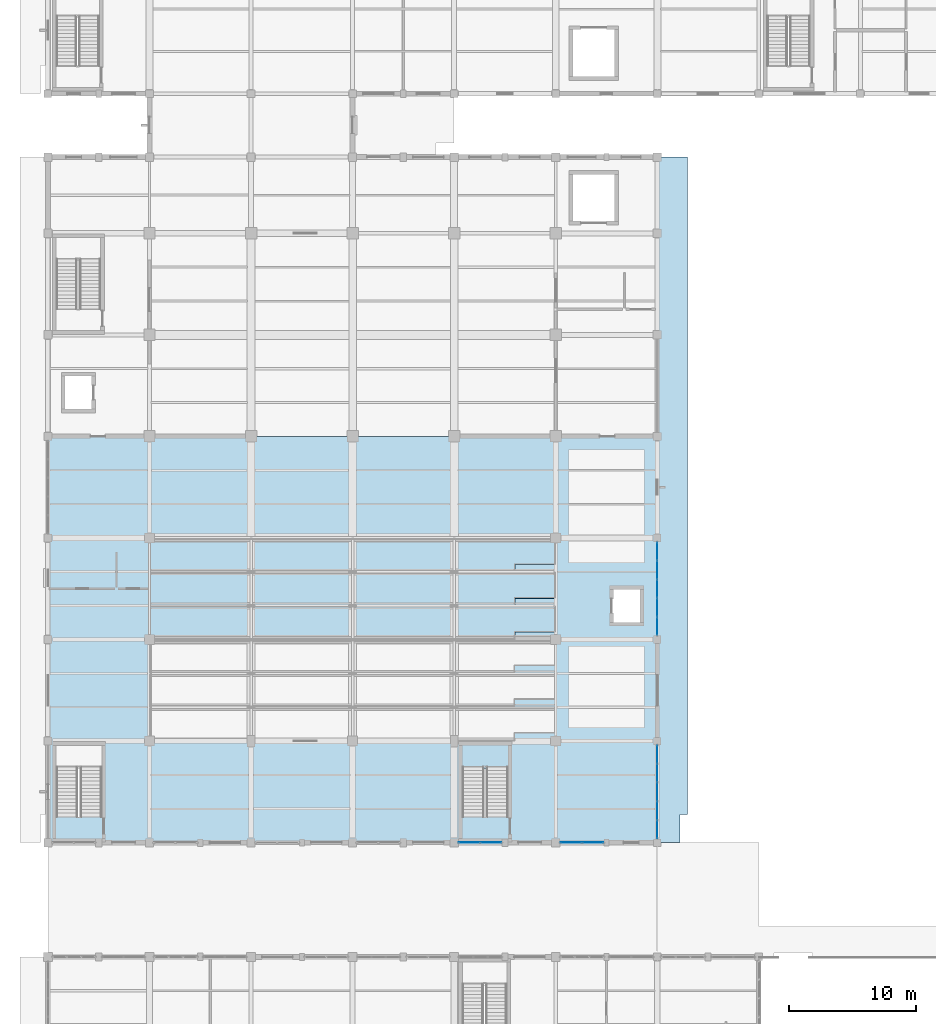
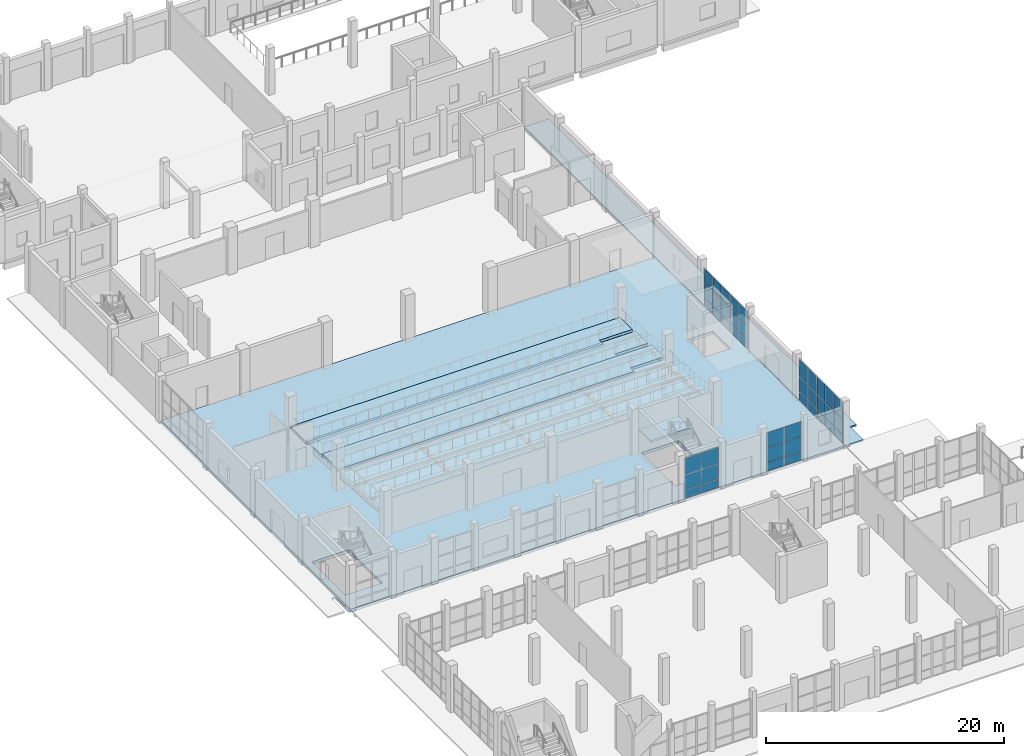
# One storey, part 108 of 156: 42 plates, 6 slabs, 5 elements without a shape of their own.
"""IFC4 building model written with IfcOpenShell, lengths in metres."""

from ifc_helpers import new_model, si_unit, direction, frame, origin, origin_2d, place, context, subcontext, project, spatial, polyline, rectangle, outline, extrude, material, layer, layer_set, type_object, element, aggregate, save


model = new_model("IFC4")

# Units and contexts
model_context = context("Model", 3, precision=1e-05, world=origin(), true_north=direction((0.0, 1.0)))
body_context = subcontext(model_context, "Body", "Model", "MODEL_VIEW")
ifc_project = project(units=[si_unit("LENGTHUNIT", "METRE"), si_unit("AREAUNIT", "SQUARE_METRE"), si_unit("VOLUMEUNIT", "CUBIC_METRE"), si_unit("PLANEANGLEUNIT", "RADIAN"), si_unit("MASSUNIT", "GRAM", prefix="KILO")], contexts=[model_context])

# Site, building, storey
site_placement = place(None, origin())
site = spatial("IfcSite", under=ifc_project, at=site_placement, CompositionType="ELEMENT")
building_placement = place(site_placement, origin())
building = spatial("IfcBuilding", under=site, at=building_placement, Name="Luwemba Playhouse", CompositionType="ELEMENT")
storey_placement = place(building_placement, origin())
storey = spatial("IfcBuildingStorey", under=building, at=storey_placement, Name="L00", CompositionType="ELEMENT", Elevation=0.0)

# Curtain wall, plates
ifc_material_1 = material(Name="Solar-control double glazing", Category="glass")
curtain_wall_type_1 = type_object("IfcCurtainWallType", Name="CW-CW07", PredefinedType="USERDEFINED", material=ifc_material_1)
curtain_wall_1_placement = place(storey_placement, origin())
curtain_wall_1 = element("IfcCurtainWall", 1, at=curtain_wall_1_placement, inside=storey, type_object=curtain_wall_type_1, Name="L00 V1 unitised curtain wall 007", ObjectType="UNITISED GLAZING", PredefinedType="USERDEFINED")
ifc_layer_1 = layer(ifc_material_1, 0.02392578125)
ifc_layer_set_1 = layer_set([ifc_layer_1], Name="Solar-control double glazing")
plate_type_1 = type_object("IfcPlateType", Name="CWP-P1", PredefinedType="CURTAIN_PANEL", material=ifc_layer_set_1)
plate_1_placement = place(storey_placement, frame((52.0, 42.945068359375, 0.06005859375), z_axis=(0.0, 0.0, 1.0), x_axis=(0.0, -1.0, 0.0)))
plate_1 = element("IfcPlate", 2, at=plate_1_placement, type_object=plate_type_1, Name="CW07 panel 1.1", PredefinedType="CURTAIN_PANEL", context=body_context, shape_type="SweptSolid", body=[
    extrude(rectangle(XDim=1.389892578125, YDim=0.02392578125, at=origin_2d()), origin(), (0.0, 0.0, 1.0), 0.81005859375),
])
plate_2_placement = place(storey_placement, frame((52.0, 42.945068359375, 0.93017578125), z_axis=(0.0, 0.0, 1.0), x_axis=(0.0, -1.0, 0.0)))
plate_2 = element("IfcPlate", 3, at=plate_2_placement, type_object=plate_type_1, Name="CW07 panel 1.2", PredefinedType="CURTAIN_PANEL", context=body_context, shape_type="SweptSolid", body=[
    extrude(rectangle(XDim=1.389892578125, YDim=0.02392578125, at=origin_2d()), origin(), (0.0, 0.0, 1.0), 1.489990234375),
])
plate_3_placement = place(storey_placement, frame((52.0, 42.945068359375, 2.47998046875), z_axis=(0.0, 0.0, 1.0), x_axis=(0.0, -1.0, 0.0)))
plate_3 = element("IfcPlate", 4, at=plate_3_placement, type_object=plate_type_1, Name="CW07 panel 1.3", PredefinedType="CURTAIN_PANEL", context=body_context, shape_type="SweptSolid", body=[
    extrude(rectangle(XDim=1.389892578125, YDim=0.02392578125, at=origin_2d()), origin(), (0.0, 0.0, 1.0), 1.794921875),
])
plate_4_placement = place(storey_placement, frame((52.0, 41.47998046875, 0.06005859375), z_axis=(0.0, 0.0, 1.0), x_axis=(0.0, -1.0, 0.0)))
plate_4 = element("IfcPlate", 5, at=plate_4_placement, type_object=plate_type_1, Name="CW07 panel 2.1", PredefinedType="CURTAIN_PANEL", context=body_context, shape_type="SweptSolid", body=[
    extrude(rectangle(XDim=1.419921875, YDim=0.02392578125, at=origin_2d()), origin(), (0.0, 0.0, 1.0), 0.81005859375),
])
plate_5_placement = place(storey_placement, frame((52.0, 41.47998046875, 0.93017578125), z_axis=(0.0, 0.0, 1.0), x_axis=(0.0, -1.0, 0.0)))
plate_5 = element("IfcPlate", 6, at=plate_5_placement, type_object=plate_type_1, Name="CW07 panel 2.2", PredefinedType="CURTAIN_PANEL", context=body_context, shape_type="SweptSolid", body=[
    extrude(rectangle(XDim=1.419921875, YDim=0.02392578125, at=origin_2d()), origin(), (0.0, 0.0, 1.0), 1.489990234375),
])
plate_6_placement = place(storey_placement, frame((52.0, 41.47998046875, 2.47998046875), z_axis=(0.0, 0.0, 1.0), x_axis=(0.0, -1.0, 0.0)))
plate_6 = element("IfcPlate", 7, at=plate_6_placement, type_object=plate_type_1, Name="CW07 panel 2.3", PredefinedType="CURTAIN_PANEL", context=body_context, shape_type="SweptSolid", body=[
    extrude(rectangle(XDim=1.419921875, YDim=0.02392578125, at=origin_2d()), origin(), (0.0, 0.0, 1.0), 1.794921875),
])
plate_7_placement = place(storey_placement, frame((52.0, 40.0, 0.06005859375), z_axis=(0.0, 0.0, 1.0), x_axis=(0.0, -1.0, 0.0)))
plate_7 = element("IfcPlate", 8, at=plate_7_placement, type_object=plate_type_1, Name="CW07 panel 3.1", PredefinedType="CURTAIN_PANEL", context=body_context, shape_type="SweptSolid", body=[
    extrude(rectangle(XDim=1.419921875, YDim=0.02392578125, at=origin_2d()), origin(), (0.0, 0.0, 1.0), 0.81005859375),
])
plate_8_placement = place(storey_placement, frame((52.0, 40.0, 0.93017578125), z_axis=(0.0, 0.0, 1.0), x_axis=(0.0, -1.0, 0.0)))
plate_8 = element("IfcPlate", 9, at=plate_8_placement, type_object=plate_type_1, Name="CW07 panel 3.2", PredefinedType="CURTAIN_PANEL", context=body_context, shape_type="SweptSolid", body=[
    extrude(rectangle(XDim=1.419921875, YDim=0.02392578125, at=origin_2d()), origin(), (0.0, 0.0, 1.0), 1.489990234375),
])
plate_9_placement = place(storey_placement, frame((52.0, 40.0, 2.47998046875), z_axis=(0.0, 0.0, 1.0), x_axis=(0.0, -1.0, 0.0)))
plate_9 = element("IfcPlate", 10, at=plate_9_placement, type_object=plate_type_1, Name="CW07 panel 3.3", PredefinedType="CURTAIN_PANEL", context=body_context, shape_type="SweptSolid", body=[
    extrude(rectangle(XDim=1.419921875, YDim=0.02392578125, at=origin_2d()), origin(), (0.0, 0.0, 1.0), 1.794921875),
])
plate_10_placement = place(storey_placement, frame((52.0, 38.52001953125, 0.06005859375), z_axis=(0.0, 0.0, 1.0), x_axis=(0.0, -1.0, 0.0)))
plate_10 = element("IfcPlate", 11, at=plate_10_placement, type_object=plate_type_1, Name="CW07 panel 4.1", PredefinedType="CURTAIN_PANEL", context=body_context, shape_type="SweptSolid", body=[
    extrude(rectangle(XDim=1.419921875, YDim=0.02392578125, at=origin_2d()), origin(), (0.0, 0.0, 1.0), 0.81005859375),
])
plate_11_placement = place(storey_placement, frame((52.0, 38.52001953125, 0.93017578125), z_axis=(0.0, 0.0, 1.0), x_axis=(0.0, -1.0, 0.0)))
plate_11 = element("IfcPlate", 12, at=plate_11_placement, type_object=plate_type_1, Name="CW07 panel 4.2", PredefinedType="CURTAIN_PANEL", context=body_context, shape_type="SweptSolid", body=[
    extrude(rectangle(XDim=1.419921875, YDim=0.02392578125, at=origin_2d()), origin(), (0.0, 0.0, 1.0), 1.489990234375),
])
plate_12_placement = place(storey_placement, frame((52.0, 38.52001953125, 2.47998046875), z_axis=(0.0, 0.0, 1.0), x_axis=(0.0, -1.0, 0.0)))
plate_12 = element("IfcPlate", 13, at=plate_12_placement, type_object=plate_type_1, Name="CW07 panel 4.3", PredefinedType="CURTAIN_PANEL", context=body_context, shape_type="SweptSolid", body=[
    extrude(rectangle(XDim=1.419921875, YDim=0.02392578125, at=origin_2d()), origin(), (0.0, 0.0, 1.0), 1.794921875),
])
plate_13_placement = place(storey_placement, frame((52.0, 37.054931640625, 0.06005859375), z_axis=(0.0, 0.0, 1.0), x_axis=(0.0, -1.0, 0.0)))
plate_13 = element("IfcPlate", 14, at=plate_13_placement, type_object=plate_type_1, Name="CW07 panel 5.1", PredefinedType="CURTAIN_PANEL", context=body_context, shape_type="SweptSolid", body=[
    extrude(rectangle(XDim=1.389892578125, YDim=0.02392578125, at=origin_2d()), origin(), (0.0, 0.0, 1.0), 0.81005859375),
])
plate_14_placement = place(storey_placement, frame((52.0, 37.054931640625, 0.93017578125), z_axis=(0.0, 0.0, 1.0), x_axis=(0.0, -1.0, 0.0)))
plate_14 = element("IfcPlate", 15, at=plate_14_placement, type_object=plate_type_1, Name="CW07 panel 5.2", PredefinedType="CURTAIN_PANEL", context=body_context, shape_type="SweptSolid", body=[
    extrude(rectangle(XDim=1.389892578125, YDim=0.02392578125, at=origin_2d()), origin(), (0.0, 0.0, 1.0), 1.489990234375),
])
plate_15_placement = place(storey_placement, frame((52.0, 37.054931640625, 2.47998046875), z_axis=(0.0, 0.0, 1.0), x_axis=(0.0, -1.0, 0.0)))
plate_15 = element("IfcPlate", 16, at=plate_15_placement, type_object=plate_type_1, Name="CW07 panel 5.3", PredefinedType="CURTAIN_PANEL", context=body_context, shape_type="SweptSolid", body=[
    extrude(rectangle(XDim=1.389892578125, YDim=0.02392578125, at=origin_2d()), origin(), (0.0, 0.0, 1.0), 1.794921875),
])
aggregate(curtain_wall_1, [plate_1, plate_2, plate_3, plate_4, plate_5, plate_6, plate_7, plate_8, plate_9, plate_10, plate_11, plate_12, plate_13, plate_14, plate_15])

curtain_wall_type_2 = type_object("IfcCurtainWallType", Name="CW-CW08", PredefinedType="USERDEFINED", material=ifc_material_1)
curtain_wall_2_placement = place(storey_placement, origin())
curtain_wall_2 = element("IfcCurtainWall", 17, at=curtain_wall_2_placement, inside=storey, type_object=curtain_wall_type_2, Name="L00 V1 unitised curtain wall 008", ObjectType="UNITISED GLAZING", PredefinedType="USERDEFINED")
ifc_layer_2 = layer(ifc_material_1, 0.028076171875)
ifc_layer_set_2 = layer_set([ifc_layer_2], Name="Solar-control double glazing")
plate_type_2 = type_object("IfcPlateType", Name="CWP-P2", PredefinedType="CURTAIN_PANEL", material=ifc_layer_set_2)
plate_16_placement = place(storey_placement, frame((46.9150390625, 36.0, 0.05517578125), z_axis=(0.0, 0.0, 1.0), x_axis=(-1.0, 0.0, 0.0)))
plate_16 = element("IfcPlate", 18, at=plate_16_placement, type_object=plate_type_2, Name="CW08 panel 1.1", PredefinedType="CURTAIN_PANEL", context=body_context, shape_type="SweptSolid", body=[
    extrude(rectangle(XDim=1.639892578125, YDim=0.028076171875, at=origin_2d()), origin(), (0.0, 0.0, 1.0), 0.8173828125),
])
plate_17_placement = place(storey_placement, frame((46.9150390625, 36.0, 0.927490234375), z_axis=(0.0, 0.0, 1.0), x_axis=(-1.0, 0.0, 0.0)))
plate_17 = element("IfcPlate", 19, at=plate_17_placement, type_object=plate_type_2, Name="CW08 panel 1.2", PredefinedType="CURTAIN_PANEL", context=body_context, shape_type="SweptSolid", body=[
    extrude(rectangle(XDim=1.639892578125, YDim=0.028076171875, at=origin_2d()), origin(), (0.0, 0.0, 1.0), 1.4951171875),
])
plate_18_placement = place(storey_placement, frame((46.9150390625, 36.0, 2.4775390625), z_axis=(0.0, 0.0, 1.0), x_axis=(-1.0, 0.0, 0.0)))
plate_18 = element("IfcPlate", 20, at=plate_18_placement, type_object=plate_type_2, Name="CW08 panel 1.3", PredefinedType="CURTAIN_PANEL", context=body_context, shape_type="SweptSolid", body=[
    extrude(rectangle(XDim=1.639892578125, YDim=0.028076171875, at=origin_2d()), origin(), (0.0, 0.0, 1.0), 1.50244140625),
])
plate_19_placement = place(storey_placement, frame((45.2099609375, 36.0, 0.05517578125), z_axis=(0.0, 0.0, 1.0), x_axis=(-1.0, 0.0, 0.0)))
plate_19 = element("IfcPlate", 21, at=plate_19_placement, type_object=plate_type_2, Name="CW08 panel 2.1", PredefinedType="CURTAIN_PANEL", context=body_context, shape_type="SweptSolid", body=[
    extrude(rectangle(XDim=1.639892578125, YDim=0.028076171875, at=origin_2d()), origin(), (0.0, 0.0, 1.0), 0.8173828125),
])
plate_20_placement = place(storey_placement, frame((45.2099609375, 36.0, 0.927490234375), z_axis=(0.0, 0.0, 1.0), x_axis=(-1.0, 0.0, 0.0)))
plate_20 = element("IfcPlate", 22, at=plate_20_placement, type_object=plate_type_2, Name="CW08 panel 2.2", PredefinedType="CURTAIN_PANEL", context=body_context, shape_type="SweptSolid", body=[
    extrude(rectangle(XDim=1.639892578125, YDim=0.028076171875, at=origin_2d()), origin(), (0.0, 0.0, 1.0), 1.4951171875),
])
plate_21_placement = place(storey_placement, frame((45.2099609375, 36.0, 2.4775390625), z_axis=(0.0, 0.0, 1.0), x_axis=(-1.0, 0.0, 0.0)))
plate_21 = element("IfcPlate", 23, at=plate_21_placement, type_object=plate_type_2, Name="CW08 panel 2.3", PredefinedType="CURTAIN_PANEL", context=body_context, shape_type="SweptSolid", body=[
    extrude(rectangle(XDim=1.639892578125, YDim=0.028076171875, at=origin_2d()), origin(), (0.0, 0.0, 1.0), 1.50244140625),
])
aggregate(curtain_wall_2, [plate_16, plate_17, plate_18, plate_19, plate_20, plate_21])

curtain_wall_type_3 = type_object("IfcCurtainWallType", Name="CW-CW09", PredefinedType="USERDEFINED", material=ifc_material_1)
curtain_wall_3_placement = place(storey_placement, origin())
curtain_wall_3 = element("IfcCurtainWall", 24, at=curtain_wall_3_placement, inside=storey, type_object=curtain_wall_type_3, Name="L00 V1 unitised curtain wall 009", ObjectType="UNITISED GLAZING", PredefinedType="USERDEFINED")
ifc_layer_3 = layer(ifc_material_1, 0.031982421875)
ifc_layer_set_3 = layer_set([ifc_layer_3], Name="Solar-control double glazing")
plate_type_3 = type_object("IfcPlateType", Name="CWP-P3", PredefinedType="CURTAIN_PANEL", material=ifc_layer_set_3)
plate_22_placement = place(storey_placement, frame((38.898681640625, 36.0, 0.06494140625), z_axis=(0.0, 0.0, 1.0), x_axis=(-1.0, 0.0, 0.0)))
plate_22 = element("IfcPlate", 25, at=plate_22_placement, type_object=plate_type_3, Name="CW09 panel 1.1", PredefinedType="CURTAIN_PANEL", context=body_context, shape_type="SweptSolid", body=[
    extrude(rectangle(XDim=1.642578125, YDim=0.031982421875, at=origin_2d()), origin(), (0.0, 0.0, 1.0), 0.802490234375),
])
plate_23_placement = place(storey_placement, frame((38.898681640625, 36.0, 0.9326171875), z_axis=(0.0, 0.0, 1.0), x_axis=(-1.0, 0.0, 0.0)))
plate_23 = element("IfcPlate", 26, at=plate_23_placement, type_object=plate_type_3, Name="CW09 panel 1.2", PredefinedType="CURTAIN_PANEL", context=body_context, shape_type="SweptSolid", body=[
    extrude(rectangle(XDim=1.642578125, YDim=0.031982421875, at=origin_2d()), origin(), (0.0, 0.0, 1.0), 1.485107421875),
])
plate_24_placement = place(storey_placement, frame((38.898681640625, 36.0, 2.482421875), z_axis=(0.0, 0.0, 1.0), x_axis=(-1.0, 0.0, 0.0)))
plate_24 = element("IfcPlate", 27, at=plate_24_placement, type_object=plate_type_3, Name="CW09 panel 1.3", PredefinedType="CURTAIN_PANEL", context=body_context, shape_type="SweptSolid", body=[
    extrude(rectangle(XDim=1.642578125, YDim=0.031982421875, at=origin_2d()), origin(), (0.0, 0.0, 1.0), 1.6875),
])
plate_25_placement = place(storey_placement, frame((37.201171875, 36.0, 0.06494140625), z_axis=(0.0, 0.0, 1.0), x_axis=(-1.0, 0.0, 0.0)))
plate_25 = element("IfcPlate", 28, at=plate_25_placement, type_object=plate_type_3, Name="CW09 panel 2.1", PredefinedType="CURTAIN_PANEL", context=body_context, shape_type="SweptSolid", body=[
    extrude(rectangle(XDim=1.642578125, YDim=0.031982421875, at=origin_2d()), origin(), (0.0, 0.0, 1.0), 0.802490234375),
])
plate_26_placement = place(storey_placement, frame((37.201171875, 36.0, 0.9326171875), z_axis=(0.0, 0.0, 1.0), x_axis=(-1.0, 0.0, 0.0)))
plate_26 = element("IfcPlate", 29, at=plate_26_placement, type_object=plate_type_3, Name="CW09 panel 2.2", PredefinedType="CURTAIN_PANEL", context=body_context, shape_type="SweptSolid", body=[
    extrude(rectangle(XDim=1.642578125, YDim=0.031982421875, at=origin_2d()), origin(), (0.0, 0.0, 1.0), 1.485107421875),
])
plate_27_placement = place(storey_placement, frame((37.201171875, 36.0, 2.482421875), z_axis=(0.0, 0.0, 1.0), x_axis=(-1.0, 0.0, 0.0)))
plate_27 = element("IfcPlate", 30, at=plate_27_placement, type_object=plate_type_3, Name="CW09 panel 2.3", PredefinedType="CURTAIN_PANEL", context=body_context, shape_type="SweptSolid", body=[
    extrude(rectangle(XDim=1.642578125, YDim=0.031982421875, at=origin_2d()), origin(), (0.0, 0.0, 1.0), 1.6875),
])
aggregate(curtain_wall_3, [plate_22, plate_23, plate_24, plate_25, plate_26, plate_27])

curtain_wall_type_4 = type_object("IfcCurtainWallType", Name="CW-CW06", PredefinedType="USERDEFINED", material=ifc_material_1)
curtain_wall_4_placement = place(storey_placement, origin())
curtain_wall_4 = element("IfcCurtainWall", 31, at=curtain_wall_4_placement, inside=storey, type_object=curtain_wall_type_4, Name="L00 V1 unitised curtain wall 006", ObjectType="UNITISED GLAZING", PredefinedType="USERDEFINED")
ifc_layer_4 = layer(ifc_material_1, 0.035888671875)
ifc_layer_set_4 = layer_set([ifc_layer_4], Name="Solar-control double glazing")
plate_type_4 = type_object("IfcPlateType", Name="CWP-P4", PredefinedType="CURTAIN_PANEL", material=ifc_layer_set_4)
plate_28_placement = place(storey_placement, frame((52.0, 58.9423828125, 0.0498046875), z_axis=(0.0, 0.0, 1.0), x_axis=(0.0, -1.0, 0.0)))
plate_28 = element("IfcPlate", 32, at=plate_28_placement, type_object=plate_type_4, Name="CW06 panel 1.1", PredefinedType="CURTAIN_PANEL", context=body_context, shape_type="SweptSolid", body=[
    extrude(rectangle(XDim=1.375, YDim=0.035888671875, at=origin_2d()), origin(), (0.0, 0.0, 1.0), 0.824951171875),
])
plate_29_placement = place(storey_placement, frame((52.0, 58.9423828125, 0.925048828125), z_axis=(0.0, 0.0, 1.0), x_axis=(0.0, -1.0, 0.0)))
plate_29 = element("IfcPlate", 33, at=plate_29_placement, type_object=plate_type_4, Name="CW06 panel 1.2", PredefinedType="CURTAIN_PANEL", context=body_context, shape_type="SweptSolid", body=[
    extrude(rectangle(XDim=1.375, YDim=0.035888671875, at=origin_2d()), origin(), (0.0, 0.0, 1.0), 1.5),
])
plate_30_placement = place(storey_placement, frame((52.0, 58.9423828125, 2.47509765625), z_axis=(0.0, 0.0, 1.0), x_axis=(0.0, -1.0, 0.0)))
plate_30 = element("IfcPlate", 34, at=plate_30_placement, type_object=plate_type_4, Name="CW06 panel 1.3", PredefinedType="CURTAIN_PANEL", context=body_context, shape_type="SweptSolid", body=[
    extrude(rectangle(XDim=1.375, YDim=0.035888671875, at=origin_2d()), origin(), (0.0, 0.0, 1.0), 1.409912109375),
])
plate_31_placement = place(storey_placement, frame((52.0, 57.47998046875, 0.0498046875), z_axis=(0.0, 0.0, 1.0), x_axis=(0.0, -1.0, 0.0)))
plate_31 = element("IfcPlate", 35, at=plate_31_placement, type_object=plate_type_4, Name="CW06 panel 2.1", PredefinedType="CURTAIN_PANEL", context=body_context, shape_type="SweptSolid", body=[
    extrude(rectangle(XDim=1.409912109375, YDim=0.035888671875, at=origin_2d()), origin(), (0.0, 0.0, 1.0), 0.824951171875),
])
plate_32_placement = place(storey_placement, frame((52.0, 57.47998046875, 0.925048828125), z_axis=(0.0, 0.0, 1.0), x_axis=(0.0, -1.0, 0.0)))
plate_32 = element("IfcPlate", 36, at=plate_32_placement, type_object=plate_type_4, Name="CW06 panel 2.2", PredefinedType="CURTAIN_PANEL", context=body_context, shape_type="SweptSolid", body=[
    extrude(rectangle(XDim=1.409912109375, YDim=0.035888671875, at=origin_2d()), origin(), (0.0, 0.0, 1.0), 1.5),
])
plate_33_placement = place(storey_placement, frame((52.0, 57.47998046875, 2.47509765625), z_axis=(0.0, 0.0, 1.0), x_axis=(0.0, -1.0, 0.0)))
plate_33 = element("IfcPlate", 37, at=plate_33_placement, type_object=plate_type_4, Name="CW06 panel 2.3", PredefinedType="CURTAIN_PANEL", context=body_context, shape_type="SweptSolid", body=[
    extrude(rectangle(XDim=1.409912109375, YDim=0.035888671875, at=origin_2d()), origin(), (0.0, 0.0, 1.0), 1.409912109375),
])
plate_34_placement = place(storey_placement, frame((52.0, 56.0, 0.0498046875), z_axis=(0.0, 0.0, 1.0), x_axis=(0.0, -1.0, 0.0)))
plate_34 = element("IfcPlate", 38, at=plate_34_placement, type_object=plate_type_4, Name="CW06 panel 3.1", PredefinedType="CURTAIN_PANEL", context=body_context, shape_type="SweptSolid", body=[
    extrude(rectangle(XDim=1.409912109375, YDim=0.035888671875, at=origin_2d()), origin(), (0.0, 0.0, 1.0), 0.824951171875),
])
plate_35_placement = place(storey_placement, frame((52.0, 56.0, 0.925048828125), z_axis=(0.0, 0.0, 1.0), x_axis=(0.0, -1.0, 0.0)))
plate_35 = element("IfcPlate", 39, at=plate_35_placement, type_object=plate_type_4, Name="CW06 panel 3.2", PredefinedType="CURTAIN_PANEL", context=body_context, shape_type="SweptSolid", body=[
    extrude(rectangle(XDim=1.409912109375, YDim=0.035888671875, at=origin_2d()), origin(), (0.0, 0.0, 1.0), 1.5),
])
plate_36_placement = place(storey_placement, frame((52.0, 56.0, 2.47509765625), z_axis=(0.0, 0.0, 1.0), x_axis=(0.0, -1.0, 0.0)))
plate_36 = element("IfcPlate", 40, at=plate_36_placement, type_object=plate_type_4, Name="CW06 panel 3.3", PredefinedType="CURTAIN_PANEL", context=body_context, shape_type="SweptSolid", body=[
    extrude(rectangle(XDim=1.409912109375, YDim=0.035888671875, at=origin_2d()), origin(), (0.0, 0.0, 1.0), 1.409912109375),
])
plate_37_placement = place(storey_placement, frame((52.0, 54.52001953125, 0.0498046875), z_axis=(0.0, 0.0, 1.0), x_axis=(0.0, -1.0, 0.0)))
plate_37 = element("IfcPlate", 41, at=plate_37_placement, type_object=plate_type_4, Name="CW06 panel 4.1", PredefinedType="CURTAIN_PANEL", context=body_context, shape_type="SweptSolid", body=[
    extrude(rectangle(XDim=1.409912109375, YDim=0.035888671875, at=origin_2d()), origin(), (0.0, 0.0, 1.0), 0.824951171875),
])
plate_38_placement = place(storey_placement, frame((52.0, 54.52001953125, 0.925048828125), z_axis=(0.0, 0.0, 1.0), x_axis=(0.0, -1.0, 0.0)))
plate_38 = element("IfcPlate", 42, at=plate_38_placement, type_object=plate_type_4, Name="CW06 panel 4.2", PredefinedType="CURTAIN_PANEL", context=body_context, shape_type="SweptSolid", body=[
    extrude(rectangle(XDim=1.409912109375, YDim=0.035888671875, at=origin_2d()), origin(), (0.0, 0.0, 1.0), 1.5),
])
plate_39_placement = place(storey_placement, frame((52.0, 54.52001953125, 2.47509765625), z_axis=(0.0, 0.0, 1.0), x_axis=(0.0, -1.0, 0.0)))
plate_39 = element("IfcPlate", 43, at=plate_39_placement, type_object=plate_type_4, Name="CW06 panel 4.3", PredefinedType="CURTAIN_PANEL", context=body_context, shape_type="SweptSolid", body=[
    extrude(rectangle(XDim=1.409912109375, YDim=0.035888671875, at=origin_2d()), origin(), (0.0, 0.0, 1.0), 1.409912109375),
])
plate_40_placement = place(storey_placement, frame((52.0, 53.0576171875, 0.0498046875), z_axis=(0.0, 0.0, 1.0), x_axis=(0.0, -1.0, 0.0)))
plate_40 = element("IfcPlate", 44, at=plate_40_placement, type_object=plate_type_4, Name="CW06 panel 5.1", PredefinedType="CURTAIN_PANEL", context=body_context, shape_type="SweptSolid", body=[
    extrude(rectangle(XDim=1.375, YDim=0.035888671875, at=origin_2d()), origin(), (0.0, 0.0, 1.0), 0.824951171875),
])
plate_41_placement = place(storey_placement, frame((52.0, 53.0576171875, 0.925048828125), z_axis=(0.0, 0.0, 1.0), x_axis=(0.0, -1.0, 0.0)))
plate_41 = element("IfcPlate", 45, at=plate_41_placement, type_object=plate_type_4, Name="CW06 panel 5.2", PredefinedType="CURTAIN_PANEL", context=body_context, shape_type="SweptSolid", body=[
    extrude(rectangle(XDim=1.375, YDim=0.035888671875, at=origin_2d()), origin(), (0.0, 0.0, 1.0), 1.5),
])
plate_42_placement = place(storey_placement, frame((52.0, 53.0576171875, 2.47509765625), z_axis=(0.0, 0.0, 1.0), x_axis=(0.0, -1.0, 0.0)))
plate_42 = element("IfcPlate", 46, at=plate_42_placement, type_object=plate_type_4, Name="CW06 panel 5.3", PredefinedType="CURTAIN_PANEL", context=body_context, shape_type="SweptSolid", body=[
    extrude(rectangle(XDim=1.375, YDim=0.035888671875, at=origin_2d()), origin(), (0.0, 0.0, 1.0), 1.409912109375),
])
aggregate(curtain_wall_4, [plate_28, plate_29, plate_30, plate_31, plate_32, plate_33, plate_34, plate_35, plate_36, plate_37, plate_38, plate_39, plate_40, plate_41, plate_42])

# Slab
ifc_material_2 = material(Name="Concrete C40/50", Category="concrete")
ifc_layer_5 = layer(ifc_material_2, 0.300048828125)
ifc_layer_set_5 = layer_set([ifc_layer_5], Name="Concrete C40/50")
slab_type_1 = type_object("IfcSlabType", Name="SLB-HVY-300", PredefinedType="FLOOR", material=ifc_layer_set_5)
slab_1_placement = place(storey_placement, frame((0.0, 0.0, -0.300048828125)))
element("IfcSlab", 47, at=slab_1_placement, inside=storey, type_object=slab_type_1, Name="L00 V1 structural floor slab", PredefinedType="FLOOR", context=body_context, shape_type="SweptSolid", body=[
    extrude(outline(polyline([(52.0, 68.0), (52.0, 36.0), (4.0, 36.0), (4.0, 68.0), (52.0, 68.0)]), holes=[polyline([(8.25, 43.659912109375), (4.64990234375, 43.659912109375), (4.64990234375, 38.0400390625), (8.25, 38.0400390625), (8.25, 43.659912109375)]), polyline([(40.25, 38.0400390625), (40.25, 43.659912109375), (36.64990234375, 43.659912109375), (36.64990234375, 38.0400390625), (40.25, 38.0400390625)]), polyline([(48.39990234375, 53.199951171875), (50.800048828125, 53.199951171875), (50.800048828125, 56.10009765625), (48.39990234375, 56.10009765625), (48.39990234375, 53.199951171875)])]), origin(), (0.0, 0.0, 1.0), 0.300048828125),
])

# Stair, slab
stair_type = type_object("IfcStairType", Name="STR-DL-01", PredefinedType="HALF_TURN_STAIR", material=ifc_material_2)
stair_placement = place(storey_placement, origin())
stair = element("IfcStair", 48, at=stair_placement, inside=storey, type_object=stair_type, Name="L00 Main Auditorium South-East Escape Stair", PredefinedType="HALF_TURN_STAIR")
ifc_layer_6 = layer(ifc_material_2, 0.215087890625)
ifc_layer_set_6 = layer_set([ifc_layer_6], Name="Concrete C40/50")
slab_type_2 = type_object("IfcSlabType", Name="SLB-LND-215", PredefinedType="LANDING", material=ifc_layer_set_6)
slab_2_placement = place(storey_placement, frame((0.0, 0.0, 2.199951171875)))
slab_2 = element("IfcSlab", 49, at=slab_2_placement, type_object=slab_type_2, Name="ST-02 landing 1", PredefinedType="LANDING", context=body_context, shape_type="SweptSolid", body=[
    extrude(outline(polyline([(40.389892578125, 41.820068359375), (36.510009765625, 41.820068359375), (36.510009765625, 43.800048828125), (40.389892578125, 43.800048828125), (40.389892578125, 41.820068359375)])), origin(), (0.0, 0.0, 1.0), 0.199951171875),
])
aggregate(stair, [slab_2])

# Slabs
ifc_material_3 = material(Name="Concrete C32/40", Category="concrete")
ifc_layer_7 = layer(ifc_material_3, 0.159912109375)
ifc_layer_set_7 = layer_set([ifc_layer_7], Name="Concrete C32/40")
slab_type_3 = type_object("IfcSlabType", Name="SLB-PAV-160", PredefinedType="USERDEFINED", material=ifc_layer_set_7)
slab_3_placement = place(storey_placement, frame((0.0, 0.0, -0.159912109375)))
element("IfcSlab", 50, at=slab_3_placement, inside=storey, type_object=slab_type_3, Name="L00 external civic plaza paving PAV-CLOISTER-W", ObjectType="PAVING", PredefinedType="USERDEFINED", context=body_context, shape_type="SweptSolid", body=[
    extrude(outline(polyline([(52.030029296875, 36.0), (53.800048828125, 36.0), (53.800048828125, 38.199951171875), (54.39990234375, 38.199951171875), (54.39990234375, 90.0), (52.030029296875, 90.0), (52.030029296875, 36.0)])), origin(), (0.0, 0.0, 1.0), 0.159912109375),
])
ifc_layer_8 = layer(ifc_material_3, 0.27490234375)
ifc_layer_set_8 = layer_set([ifc_layer_8], Name="Concrete C32/40")
slab_type_4 = type_object("IfcSlabType", Name="SLB-TIER-275", PredefinedType="USERDEFINED", material=ifc_layer_set_8)
slab_4_placement = place(storey_placement, frame((0.0, 0.0, 1.60009765625)))
element("IfcSlab", 51, at=slab_4_placement, inside=storey, type_object=slab_type_4, Name="Stand Stalls Bay 4", ObjectType="SEATING TIER", PredefinedType="USERDEFINED", context=body_context, shape_type="SweptSolid", body=[
    extrude(outline(polyline([(12.0, 52.0), (40.800048828125, 52.0), (40.800048828125, 52.582275390625), (44.0, 52.582275390625), (44.0, 54.646728515625), (12.0, 54.646728515625), (12.0, 52.0)])), origin(), (0.0, 0.0, 1.0), 0.27490234375),
])
slab_5_placement = place(storey_placement, frame((0.0, 0.0, 1.3916015625)))
element("IfcSlab", 52, at=slab_5_placement, inside=storey, type_object=slab_type_4, Name="Stand Stalls Bay 5", ObjectType="SEATING TIER", PredefinedType="USERDEFINED", context=body_context, shape_type="SweptSolid", body=[
    extrude(outline(polyline([(12.0, 54.666748046875), (40.800048828125, 54.666748046875), (40.800048828125, 55.2490234375), (44.0, 55.2490234375), (44.0, 57.3134765625), (12.0, 57.3134765625), (12.0, 54.666748046875)])), origin(), (0.0, 0.0, 1.0), 0.275146484375),
])
slab_6_placement = place(storey_placement, frame((0.0, 0.0, 1.183349609375)))
element("IfcSlab", 53, at=slab_6_placement, inside=storey, type_object=slab_type_4, Name="Stand Stalls Bay 6", ObjectType="SEATING TIER", PredefinedType="USERDEFINED", context=body_context, shape_type="SweptSolid", body=[
    extrude(outline(polyline([(12.0, 57.333251953125), (40.800048828125, 57.333251953125), (40.800048828125, 57.91552734375), (44.0, 57.91552734375), (44.0, 59.97998046875), (12.0, 59.97998046875), (12.0, 57.333251953125)])), origin(), (0.0, 0.0, 1.0), 0.27490234375),
])

save(model, "model.ifc")
